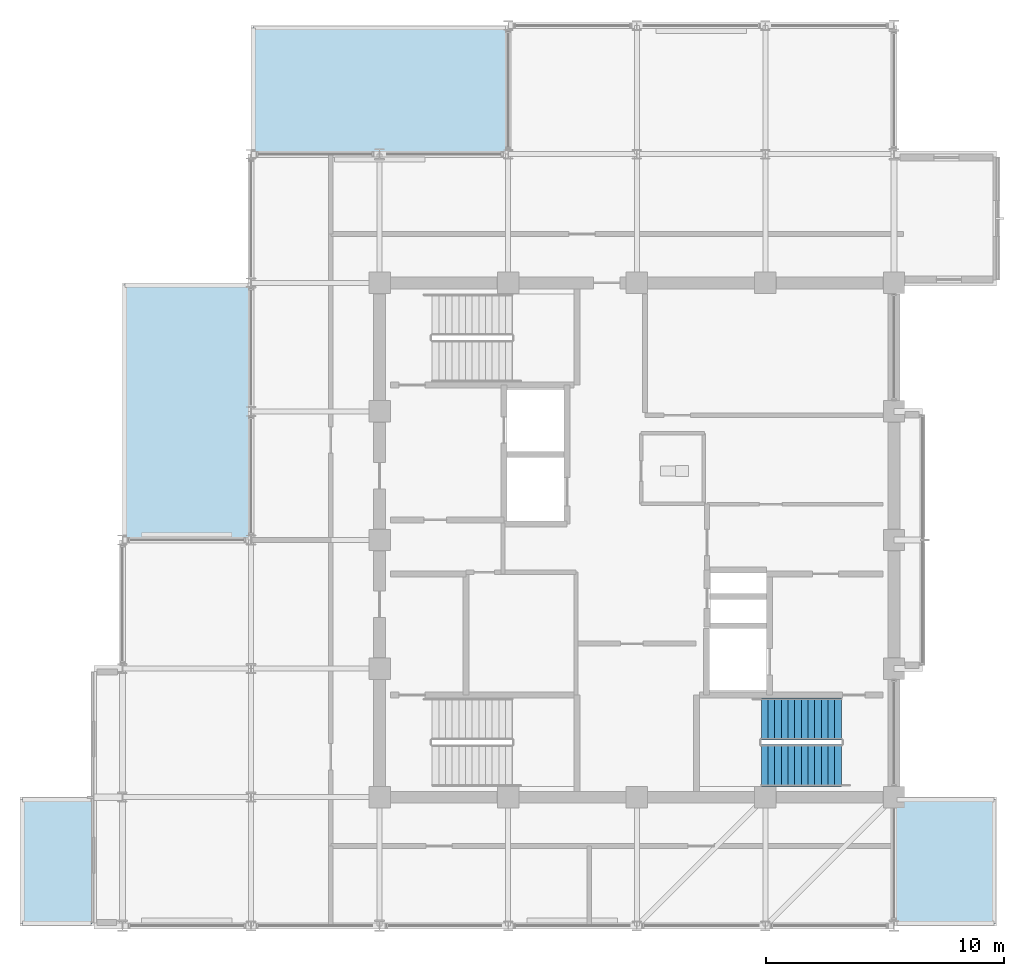
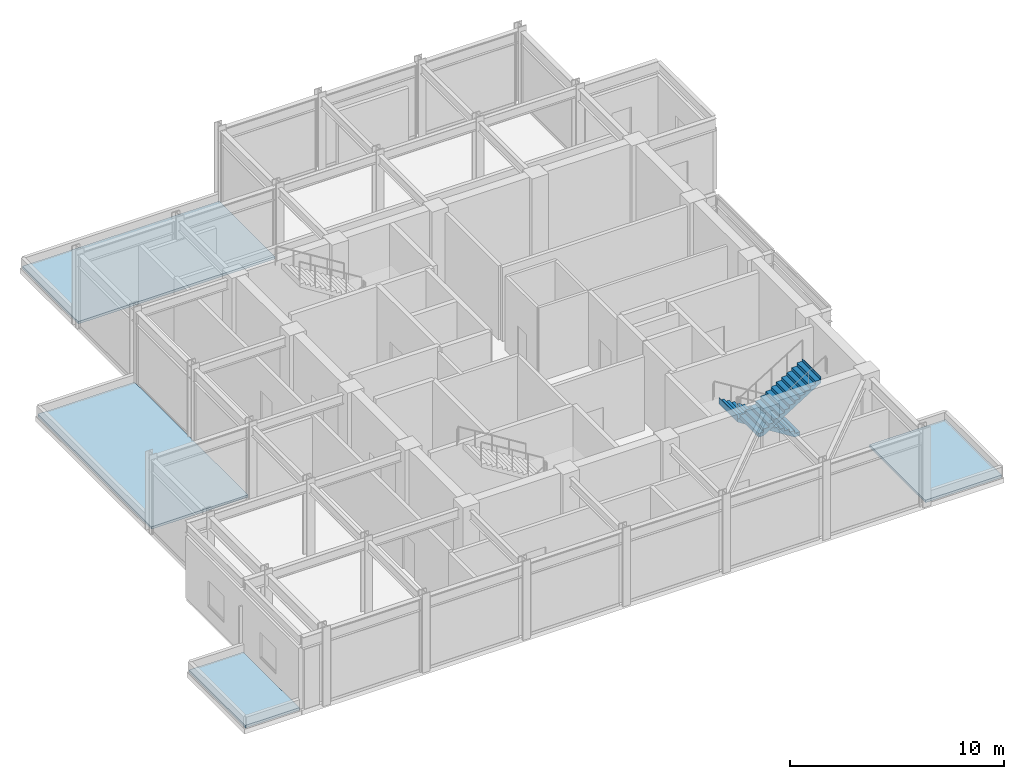
# One storey, part 17 of 21: 4 roofs, 2 stair flights, 1 element without a shape of its own.
"""IFC4 building model written with IfcOpenShell, lengths in metres."""

from ifc_helpers import new_model, si_unit, direction, frame, origin, place, context, subcontext, project, spatial, polyline, outline, extrude, material, layer, layer_set, type_object, element, aggregate, save


model = new_model("IFC4")

# Units and contexts
model_context = context("Model", 3, precision=1e-05, world=origin(), true_north=direction((0.0, 1.0)))
body_context = subcontext(model_context, "Body", "Model", "MODEL_VIEW")
ifc_project = project(units=[si_unit("LENGTHUNIT", "METRE"), si_unit("AREAUNIT", "SQUARE_METRE"), si_unit("VOLUMEUNIT", "CUBIC_METRE"), si_unit("PLANEANGLEUNIT", "RADIAN"), si_unit("MASSUNIT", "GRAM", prefix="KILO")], contexts=[model_context])

# Site, building, storey
site_placement = place(None, origin())
site = spatial("IfcSite", under=ifc_project, at=site_placement, CompositionType="ELEMENT")
building_placement = place(site_placement, origin())
building = spatial("IfcBuilding", under=site, at=building_placement, Name="Surkhivell Harbour Commons", CompositionType="ELEMENT")
storey_placement = place(building_placement, frame((0.0, 0.0, 346.5)))
storey = spatial("IfcBuildingStorey", under=building, at=storey_placement, Name="L90", CompositionType="ELEMENT", Elevation=346.5)

# Stair, stair flights
ifc_material_1 = material(Name="Precast concrete C45/55", Category="concrete")
stair_type = type_object("IfcStairType", Name="STR-DL-450", PredefinedType="HALF_TURN_STAIR", material=ifc_material_1)
stair_placement = place(storey_placement, origin())
stair = element("IfcStair", 1, at=stair_placement, inside=storey, type_object=stair_type, Name="L90 Core Exit Stair ST2", PredefinedType="HALF_TURN_STAIR")
stair_flight_type = type_object("IfcStairFlightType", Name="STF-DL-450", PredefinedType="STRAIGHT", material=ifc_material_1)
stair_flight_1_placement = place(storey_placement, frame((8.590087890625, -7.514892578125, 0.0), z_axis=(0.0, 0.0, 1.0), x_axis=(-1.0, 0.0, 0.0)))
stair_flight_1 = element("IfcStairFlight", 2, at=stair_flight_1_placement, type_object=stair_flight_type, Name="ST2 flight 1", NumberOfRisers=13, NumberOfTreads=12, PredefinedType="STRAIGHT", RiserHeight=0.173076923, TreadLength=0.28, context=body_context, shape_type="SweptSolid", body=[
    extrude(outline(polyline([(-0.0029296875, -0.034912109375), (-0.0029296875, 0.0), (0.0, 0.0), (0.0, 0.173095703125), (0.280029296875, 0.173095703125), (0.280029296875, 0.34619140625), (0.56005859375, 0.34619140625), (0.56005859375, 0.519287109375), (0.840087890625, 0.519287109375), (0.840087890625, 0.6923828125), (1.1201171875, 0.6923828125), (1.1201171875, 0.865478515625), (1.39990234375, 0.865478515625), (1.39990234375, 1.03857421875), (1.679931640625, 1.03857421875), (1.679931640625, 1.21142578125), (1.9599609375, 1.21142578125), (1.9599609375, 1.384521484375), (2.239990234375, 1.384521484375), (2.239990234375, 1.5576171875), (2.52001953125, 1.5576171875), (2.52001953125, 1.730712890625), (2.800048828125, 1.730712890625), (2.800048828125, 1.90380859375), (3.080078125, 1.90380859375), (3.080078125, 2.076904296875), (3.360107421875, 2.076904296875), (3.360107421875, 2.25), (3.363037109375, 2.25), (3.363037109375, 1.900634765625), (0.28515625, -0.034912109375), (-0.0029296875, -0.034912109375)])), frame((0.0, 0.875, 0.0), z_axis=(0.0, -1.0, 0.0), x_axis=(1.0, 0.0, 0.0)), (0.0, 0.0, 1.0), 1.75),
])
stair_flight_2_placement = place(storey_placement, frame((5.22998046875, -9.465087890625, 2.25), z_axis=(0.0, 0.0, 1.0), x_axis=(1.0, 0.0, 0.0)))
stair_flight_2 = element("IfcStairFlight", 3, at=stair_flight_2_placement, type_object=stair_flight_type, Name="ST2 flight 2", NumberOfRisers=13, NumberOfTreads=12, PredefinedType="STRAIGHT", RiserHeight=0.173076923, TreadLength=0.28, context=body_context, shape_type="SweptSolid", body=[
    extrude(outline(polyline([(-0.0029296875, -0.034912109375), (-0.0029296875, 0.0), (0.0, 0.0), (0.0, 0.173095703125), (0.280029296875, 0.173095703125), (0.280029296875, 0.34619140625), (0.56005859375, 0.34619140625), (0.56005859375, 0.519287109375), (0.840087890625, 0.519287109375), (0.840087890625, 0.6923828125), (1.1201171875, 0.6923828125), (1.1201171875, 0.865478515625), (1.39990234375, 0.865478515625), (1.39990234375, 1.03857421875), (1.679931640625, 1.03857421875), (1.679931640625, 1.21142578125), (1.9599609375, 1.21142578125), (1.9599609375, 1.384521484375), (2.239990234375, 1.384521484375), (2.239990234375, 1.5576171875), (2.52001953125, 1.5576171875), (2.52001953125, 1.730712890625), (2.800048828125, 1.730712890625), (2.800048828125, 1.90380859375), (3.080078125, 1.90380859375), (3.080078125, 2.076904296875), (3.360107421875, 2.076904296875), (3.360107421875, 2.25), (3.363037109375, 2.25), (3.363037109375, 1.900634765625), (0.28515625, -0.034912109375), (-0.0029296875, -0.034912109375)])), frame((0.0, 0.875, 0.0), z_axis=(0.0, -1.0, 0.0), x_axis=(1.0, 0.0, 0.0)), (0.0, 0.0, 1.0), 1.75),
])
aggregate(stair, [stair_flight_1, stair_flight_2])

# Roofs
ifc_material_2 = material(Name="Vermilion-coral and saffron enamelled aluminium box roof cap", Category="aluminium")
ifc_layer = layer(ifc_material_2, 0.139892578125)
ifc_layer_set = layer_set([ifc_layer], Name="Vermilion-coral and saffron enamelled aluminium box roof cap")
roof_type = type_object("IfcRoofType", Name="ROF-BOX-CAP", PredefinedType="FLAT_ROOF", material=ifc_layer_set)
roof_1_placement = place(storey_placement, origin())
element("IfcRoof", 4, at=roof_1_placement, inside=storey, type_object=roof_type, Name="L90 Closed Coloured Box Roof Cap 1-1", PredefinedType="FLAT_ROOF", context=body_context, shape_type="SweptSolid", body=[
    extrude(outline(polyline([(-5.5, 16.300048828125), (-5.5, 21.52001953125), (-16.1201171875, 21.52001953125), (-16.1201171875, 16.300048828125), (-5.5, 16.300048828125)])), origin(), (0.0, 0.0, 1.0), 0.139892578125),
])
roof_2_placement = place(storey_placement, origin())
element("IfcRoof", 5, at=roof_2_placement, inside=storey, type_object=roof_type, Name="L90 Closed Coloured Box Roof Cap 2-1", PredefinedType="FLAT_ROOF", context=body_context, shape_type="SweptSolid", body=[
    extrude(outline(polyline([(10.89990234375, -16.1201171875), (15.02001953125, -16.1201171875), (15.02001953125, -10.8798828125), (10.89990234375, -10.8798828125), (10.89990234375, -16.1201171875)])), origin(), (0.0, 0.0, 1.0), 0.139892578125),
])
roof_3_placement = place(storey_placement, origin())
element("IfcRoof", 6, at=roof_3_placement, inside=storey, type_object=roof_type, Name="L90 Closed Coloured Box Roof Cap 3-1", PredefinedType="FLAT_ROOF", context=body_context, shape_type="SweptSolid", body=[
    extrude(outline(polyline([(-22.89990234375, -10.8798828125), (-25.820068359375, -10.8798828125), (-25.820068359375, -16.1201171875), (-22.89990234375, -16.1201171875), (-22.89990234375, -10.8798828125)])), origin(), (0.0, 0.0, 1.0), 0.139892578125),
])
roof_4_placement = place(storey_placement, origin())
element("IfcRoof", 7, at=roof_4_placement, inside=storey, type_object=roof_type, Name="L90 Closed Coloured Box Roof Cap 4-1", PredefinedType="FLAT_ROOF", context=body_context, shape_type="SweptSolid", body=[
    extrude(outline(polyline([(-16.300048828125, 0.10009765625), (-16.300048828125, 10.719970703125), (-21.52001953125, 10.719970703125), (-21.52001953125, 0.10009765625), (-16.300048828125, 0.10009765625)])), origin(), (0.0, 0.0, 1.0), 0.139892578125),
])

save(model, "model.ifc")
